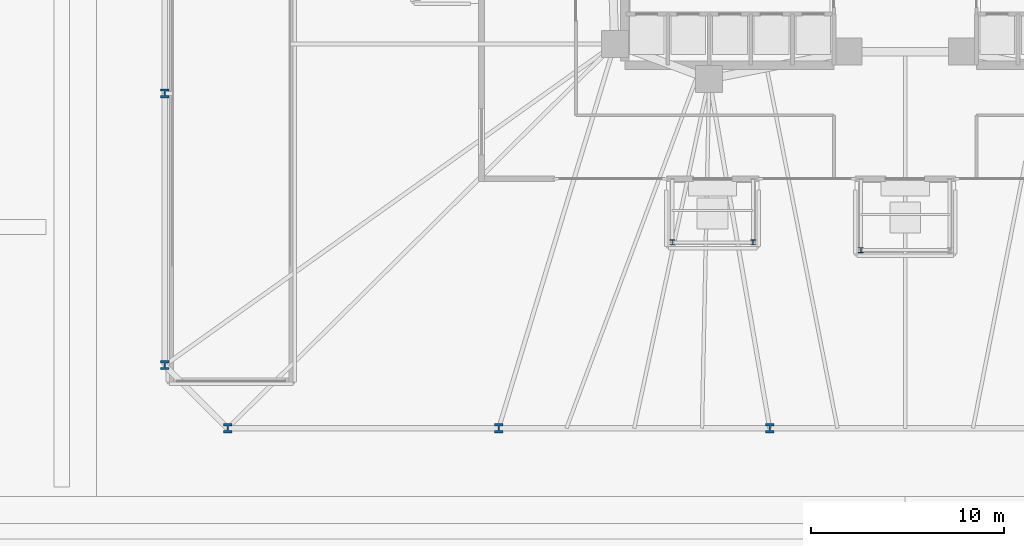
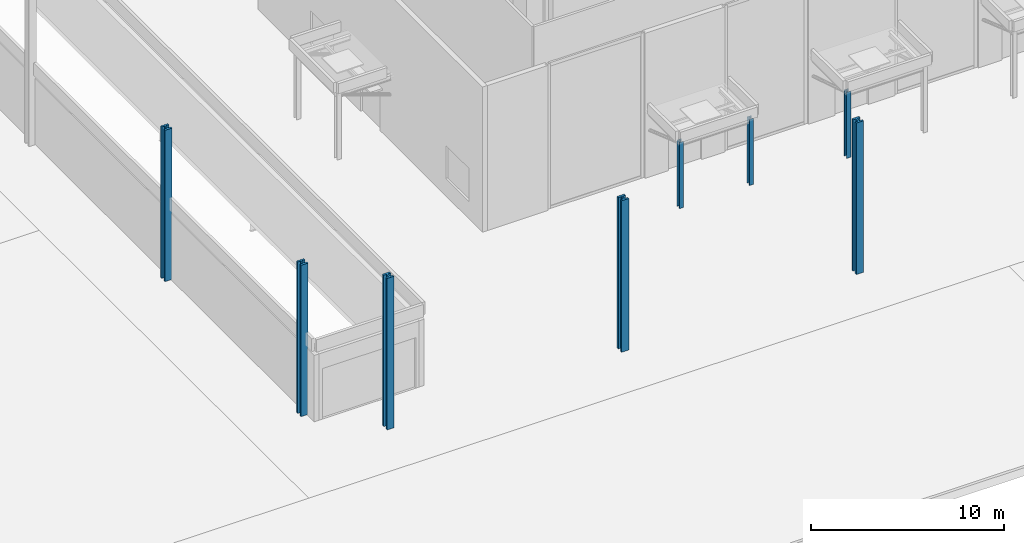
# One storey, part 2 of 24: 8 columns.
"""IFC4 building model written with IfcOpenShell, lengths in metres."""

from ifc_helpers import new_model, si_unit, direction, frame, origin, origin_2d, place, context, subcontext, project, spatial, i_section, extrude, material, material_profile, profile_set, type_object, element, save


model = new_model("IFC4")

# Units and contexts
model_context = context("Model", 3, precision=1e-05, world=origin(), true_north=direction((0.0, 1.0)))
body_context = subcontext(model_context, "Body", "Model", "MODEL_VIEW")
ifc_project = project(units=[si_unit("LENGTHUNIT", "METRE"), si_unit("AREAUNIT", "SQUARE_METRE"), si_unit("VOLUMEUNIT", "CUBIC_METRE"), si_unit("PLANEANGLEUNIT", "RADIAN"), si_unit("MASSUNIT", "GRAM", prefix="KILO")], contexts=[model_context])

# Site, building, storey
site_placement = place(None, origin())
site = spatial("IfcSite", under=ifc_project, at=site_placement, CompositionType="ELEMENT")
building_placement = place(site_placement, origin())
building = spatial("IfcBuilding", under=site, at=building_placement, Name="Menara Jurai Vektor", CompositionType="ELEMENT")
storey_placement = place(building_placement, origin())
storey = spatial("IfcBuildingStorey", under=building, at=storey_placement, Name="L00", CompositionType="ELEMENT", Elevation=0.0)

# Columns
ifc_material_1 = material(Name="Steel S355", Category="steel")
ifc_material_profile_1 = material_profile(ifc_material_1, i_section(OverallWidth=0.259033203125, OverallDepth=0.26708984375, WebThickness=0.012939453125, FlangeThickness=0.02099609375, FilletRadius=0.012939453125, at=origin_2d()), Name="UKC 254x254x107")
ifc_profile_set_1 = profile_set([ifc_material_profile_1], Name="Steel S355")
column_type_1 = type_object("IfcColumnType", Name="STR-COL-CANOPY", PredefinedType="COLUMN", material=ifc_profile_set_1)
for number, where, z_axis, x_axis, name in (
    (1, (-12.10009765625, -14.800048828125, 0.0), (0.0, 0.0, 1.0), (1.0, 0.0, 0.0), "Entrance Canopy Column E1-1"),
    (2, (-7.89990234375, -14.800048828125, 0.0), (0.0, 0.0, 1.0), (1.0, 0.0, 0.0), "Entrance Canopy Column E1-2"),
    (3, (-2.300048828125, -15.199951171875, 0.0), (0.0, 0.0, 1.0), (1.0, 0.0, 0.0), "Entrance Canopy Column E2-1"),
):
    element("IfcColumn", number, at=place(storey_placement, frame(where, z_axis=z_axis, x_axis=x_axis)), inside=storey, type_object=column_type_1, Name=name, PredefinedType="COLUMN", context=body_context, shape_type="SweptSolid", body=[
        extrude(i_section(OverallWidth=0.259033203125, OverallDepth=0.26708984375, WebThickness=0.012939453125, FlangeThickness=0.02099609375, FilletRadius=0.012939453125, at=origin_2d()), origin(), (0.0, 0.0, 1.0), 4.199951171875),
    ])
ifc_material_2 = material(Name="Steel S460", Category="steel")
ifc_material_profile_2 = material_profile(ifc_material_2, i_section(OverallWidth=0.427978515625, OverallDepth=0.468994140625, WebThickness=0.077880859375, FlangeThickness=0.125, FilletRadius=0.014892578125, at=origin_2d()), Name="HD 400x1086")
ifc_profile_set_2 = profile_set([ifc_material_profile_2], Name="Steel S460")
column_type_2 = type_object("IfcColumnType", Name="STR-PILOTIS-HD1086", PredefinedType="USERDEFINED", material=ifc_profile_set_2)
for number, where, z_axis, x_axis, name in (
    (4, (-35.177734375, -24.449951171875, 0.0), (0.0, 0.0, 1.0), (1.0, 0.0, 0.0), "Open Pilotis Stilt Column PLT-S1 L00"),
    (5, (-21.106689453125, -24.449951171875, 0.0), (0.0, 0.0, 1.0), (1.0, 0.0, 0.0), "Open Pilotis Stilt Column PLT-S2 L00"),
    (6, (-7.03564453125, -24.449951171875, 0.0), (0.0, 0.0, 1.0), (1.0, 0.0, 0.0), "Open Pilotis Stilt Column PLT-S3 L00"),
    (7, (-38.449951171875, -7.059326171875, 0.0), (0.0, 0.0, 1.0), (1.0, 0.0, 0.0), "Open Pilotis Stilt Column PLT-W3 L00"),
    (8, (-38.449951171875, -21.177734375, 0.0), (0.0, 0.0, 1.0), (1.0, 0.0, 0.0), "Open Pilotis Stilt Column PLT-W4 L00"),
):
    element("IfcColumn", number, at=place(storey_placement, frame(where, z_axis=z_axis, x_axis=x_axis)), inside=storey, type_object=column_type_2, Name=name, ObjectType="PILOTIS", PredefinedType="USERDEFINED", context=body_context, shape_type="SweptSolid", body=[
        extrude(i_section(OverallWidth=0.427978515625, OverallDepth=0.468994140625, WebThickness=0.077880859375, FlangeThickness=0.125, FilletRadius=0.014892578125, at=origin_2d()), origin(), (0.0, 0.0, 1.0), 9.60009765625),
    ])

save(model, "model.ifc")
